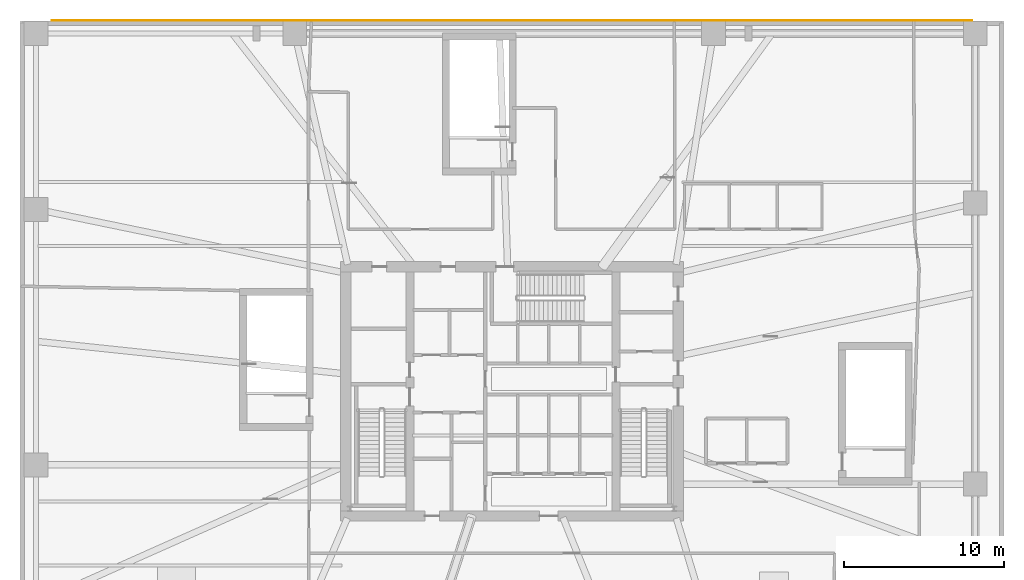
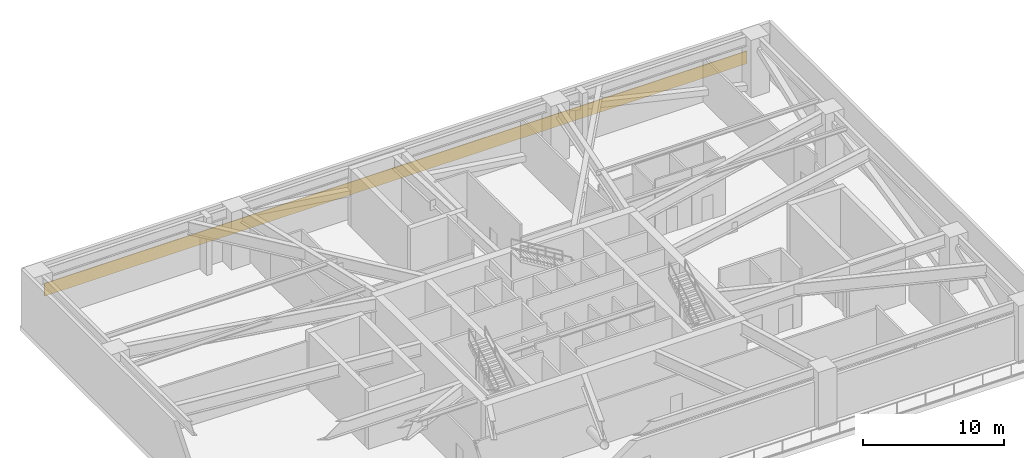
# One storey, part 10 of 10: 1 covering.
"""IFC4 building model written with IfcOpenShell, lengths in metres."""

from ifc_helpers import new_model, si_unit, direction, frame, origin, origin_2d, place, context, subcontext, project, spatial, rectangle, extrude, material, layer, layer_set, type_object, element, save


model = new_model("IFC4")

# Units and contexts
model_context = context("Model", 3, precision=1e-05, world=origin(), true_north=direction((0.0, 1.0)))
body_context = subcontext(model_context, "Body", "Model", "MODEL_VIEW")
ifc_project = project(units=[si_unit("LENGTHUNIT", "METRE"), si_unit("AREAUNIT", "SQUARE_METRE"), si_unit("VOLUMEUNIT", "CUBIC_METRE"), si_unit("PLANEANGLEUNIT", "RADIAN"), si_unit("MASSUNIT", "GRAM", prefix="KILO")], contexts=[model_context])

# Site, building, storey
site_placement = place(None, origin())
site = spatial("IfcSite", under=ifc_project, at=site_placement, CompositionType="ELEMENT")
building_placement = place(site_placement, origin())
building = spatial("IfcBuilding", under=site, at=building_placement, Name="Qarnah Convention Tower", CompositionType="ELEMENT")
storey_placement = place(building_placement, frame((0.0, 0.0, 21.60009765625)))
storey = spatial("IfcBuildingStorey", under=building, at=storey_placement, Name="L04", CompositionType="ELEMENT", Elevation=21.60009765625)

# Covering
ifc_material = material(Name="Precast concrete C45/55", Category="concrete")
ifc_layer = layer(ifc_material, 0.06005859375)
ifc_layer_set = layer_set([ifc_layer], Name="Precast concrete C45/55")
covering_type = type_object("IfcCoveringType", Name="COV-CLAD-60", PredefinedType="CLADDING", material=ifc_layer_set)
covering_placement = place(storey_placement, frame((37.199951171875, 49.6201171875, 1.849853515625), z_axis=(0.0, 0.0, 1.0), x_axis=(1.0, 0.0, 0.0)))
element("IfcCovering", 1, at=covering_placement, inside=storey, type_object=covering_type, Name="L04 limestone precast spandrel cladding", PredefinedType="CLADDING", context=body_context, shape_type="SweptSolid", body=[
    extrude(rectangle(XDim=57.60009765625, YDim=0.06005859375, at=origin_2d()), origin(), (0.0, 0.0, 1.0), 1.10009765625),
])

save(model, "model.ifc")
